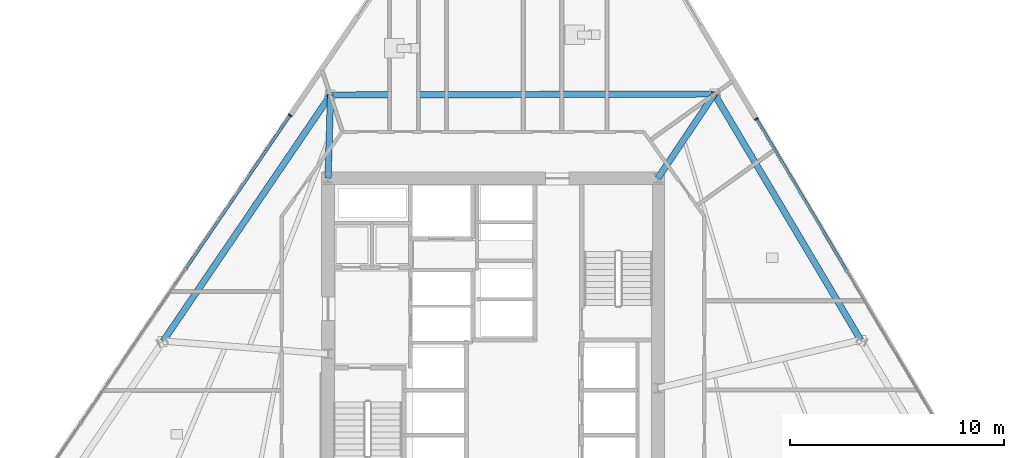
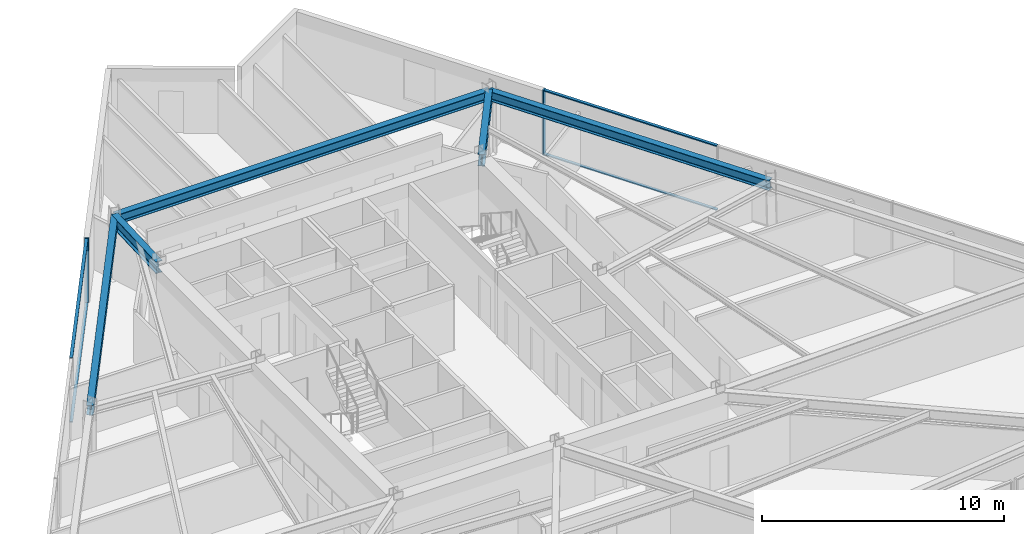
# One storey, part 7 of 16: 6 members, 5 beams, 2 elements without a shape of their own.
"""IFC4 building model written with IfcOpenShell, lengths in metres."""

from ifc_helpers import new_model, si_unit, direction, frame, origin, origin_2d, place, context, subcontext, project, spatial, rectangle, i_section, extrude, material, material_profile, profile_set, type_object, element, aggregate, save


model = new_model("IFC4")

# Units and contexts
model_context = context("Model", 3, precision=1e-05, world=origin(), true_north=direction((0.0, 1.0)))
body_context = subcontext(model_context, "Body", "Model", "MODEL_VIEW")
ifc_project = project(units=[si_unit("LENGTHUNIT", "METRE"), si_unit("AREAUNIT", "SQUARE_METRE"), si_unit("VOLUMEUNIT", "CUBIC_METRE"), si_unit("PLANEANGLEUNIT", "RADIAN"), si_unit("MASSUNIT", "GRAM", prefix="KILO")], contexts=[model_context])

# Site, building, storey
site_placement = place(None, origin())
site = spatial("IfcSite", under=ifc_project, at=site_placement, CompositionType="ELEMENT")
building_placement = place(site_placement, origin())
building = spatial("IfcBuilding", under=site, at=building_placement, Name="Savorim Split Tower", CompositionType="ELEMENT")
storey_placement = place(building_placement, frame((0.0, 0.0, 69.60009765625)))
storey = spatial("IfcBuildingStorey", under=building, at=storey_placement, Name="L18", CompositionType="ELEMENT", Elevation=69.60009765625)

# Beams
ifc_material_1 = material(Name="Steel S355", Category="steel")
ifc_material_profile_1 = material_profile(ifc_material_1, i_section(OverallWidth=0.300048828125, OverallDepth=0.60009765625, WebThickness=0.015380859375, FlangeThickness=0.030029296875, FilletRadius=0.027099609375, at=origin_2d()), Name="HEB 600")
ifc_profile_set_1 = profile_set([ifc_material_profile_1], Name="Steel S355")
beam_type_1 = type_object("IfcBeamType", Name="BM-PRI-HEB600", PredefinedType="BEAM", material=ifc_profile_set_1)
beam_1_placement = place(storey_placement, frame((10.336669921875, 14.131591796875, 2.97998046875), z_axis=(-0.556983163535, -0.830523783849, 0.0), x_axis=(0.830523783849, -0.556983163535, 0.0)))
element("IfcBeam", 1, at=beam_1_placement, inside=storey, type_object=beam_type_1, Name="L18 Primary Floor Girder RG-07", PredefinedType="BEAM", context=body_context, shape_type="SweptSolid", body=[
    extrude(i_section(OverallWidth=0.300048828125, OverallDepth=0.60009765625, WebThickness=0.015380859375, FlangeThickness=0.030029296875, FilletRadius=0.027099609375, at=origin_2d()), origin(), (0.0, 0.0, 1.0), 4.73388671875),
])
beam_2_placement = place(storey_placement, frame((-7.580810546875, 14.082763671875, 2.97998046875), z_axis=(-0.030669670058, -0.999529575019, 0.0), x_axis=(0.999529575019, -0.030669670058, 0.0)))
element("IfcBeam", 2, at=beam_2_placement, inside=storey, type_object=beam_type_1, Name="L18 Primary Floor Girder RG-08", PredefinedType="BEAM", context=body_context, shape_type="SweptSolid", body=[
    extrude(i_section(OverallWidth=0.300048828125, OverallDepth=0.60009765625, WebThickness=0.015380859375, FlangeThickness=0.030029296875, FilletRadius=0.027099609375, at=origin_2d()), origin(), (0.0, 0.0, 1.0), 3.884521484375),
])
ifc_material_profile_2 = material_profile(ifc_material_1, i_section(OverallWidth=0.300048828125, OverallDepth=0.489990234375, WebThickness=0.011962890625, FlangeThickness=0.02294921875, FilletRadius=0.027099609375, at=origin_2d()), Name="HEA 500")
ifc_profile_set_2 = profile_set([ifc_material_profile_2], Name="Steel S355")
beam_type_2 = type_object("IfcBeamType", Name="BM-SPN-HEA500", PredefinedType="SPANDREL", material=ifc_profile_set_2)
beam_3_placement = place(storey_placement, frame((17.164794921875, 2.648681640625, 3.034912109375), z_axis=(-0.511100205698, 0.859521133967, 0.0), x_axis=(-0.859521133967, -0.511100205698, 0.0)))
element("IfcBeam", 3, at=beam_3_placement, inside=storey, type_object=beam_type_2, Name="L18 Perimeter Spandrel Beam 6", PredefinedType="SPANDREL", context=body_context, shape_type="SweptSolid", body=[
    extrude(i_section(OverallWidth=0.300048828125, OverallDepth=0.489990234375, WebThickness=0.011962890625, FlangeThickness=0.02294921875, FilletRadius=0.027099609375, at=origin_2d()), origin(), (0.0, 0.0, 1.0), 13.359619140625),
])
beam_4_placement = place(storey_placement, frame((10.336669921875, 14.131591796875, 3.034912109375), z_axis=(-0.999996286753, -0.002725156797, 0.0), x_axis=(0.002725156797, -0.999996286753, 0.0)))
element("IfcBeam", 4, at=beam_4_placement, inside=storey, type_object=beam_type_2, Name="L18 Perimeter Spandrel Beam 7", PredefinedType="SPANDREL", context=body_context, shape_type="SweptSolid", body=[
    extrude(i_section(OverallWidth=0.300048828125, OverallDepth=0.489990234375, WebThickness=0.011962890625, FlangeThickness=0.02294921875, FilletRadius=0.027099609375, at=origin_2d()), origin(), (0.0, 0.0, 1.0), 17.91748046875),
])
beam_5_placement = place(storey_placement, frame((-7.580810546875, 14.082763671875, 3.034912109375), z_axis=(-0.562464839505, -0.826821204566, 0.0), x_axis=(0.826821204566, -0.562464839505, 0.0)))
element("IfcBeam", 5, at=beam_5_placement, inside=storey, type_object=beam_type_2, Name="L18 Perimeter Spandrel Beam 8", PredefinedType="SPANDREL", context=body_context, shape_type="SweptSolid", body=[
    extrude(i_section(OverallWidth=0.300048828125, OverallDepth=0.489990234375, WebThickness=0.011962890625, FlangeThickness=0.02294921875, FilletRadius=0.027099609375, at=origin_2d()), origin(), (0.0, 0.0, 1.0), 13.887939453125),
])

# Curtain wall, member
ifc_material_2 = material(Name="Dark Ceramic-Fritted Insulated Glass", Category="glass")
curtain_wall_type = type_object("IfcCurtainWallType", Name="CW-TWR-FRIT-A", PredefinedType="NOTDEFINED", material=ifc_material_2)
curtain_wall_1_placement = place(storey_placement, origin())
curtain_wall_1 = element("IfcCurtainWall", 6, at=curtain_wall_1_placement, inside=storey, type_object=curtain_wall_type, Name="L18 Curtain Wall CW-L18-EAST", PredefinedType="NOTDEFINED")
ifc_material_3 = material(Name="Charcoal Anodised Aluminium", Category="aluminium")
ifc_material_profile_3 = material_profile(ifc_material_3, rectangle(XDim=0.179931640625, YDim=0.06494140625, at=origin_2d()), Name="ALU-M 180x65")
ifc_profile_set_3 = profile_set([ifc_material_profile_3], Name="Charcoal Anodised Aluminium")
member_type_1 = type_object("IfcMemberType", Name="CWM-180x65", PredefinedType="MULLION", material=ifc_profile_set_3)
member_1_placement = place(storey_placement, frame((12.296630859375, 12.96826171875, 0.0), z_axis=(0.0, 0.0, 1.0), x_axis=(-0.859525822673, -0.511092320583, 0.0)))
member_1 = element("IfcMember", 7, at=member_1_placement, type_object=member_type_1, Name="CW-02 mullion 5", PredefinedType="MULLION", context=body_context, shape_type="SweptSolid", body=[
    extrude(rectangle(XDim=0.179931640625, YDim=0.06494140625, at=origin_2d()), origin(), (0.0, 0.0, 1.0), 3.27978515625),
])

curtain_wall_2_placement = place(storey_placement, origin())
curtain_wall_2 = element("IfcCurtainWall", 8, at=curtain_wall_2_placement, inside=storey, type_object=curtain_wall_type, Name="L18 Curtain Wall CW-L18-WEST", PredefinedType="NOTDEFINED")
member_2_placement = place(storey_placement, frame((-9.468994140625, 13.136474609375, 0.0), z_axis=(0.0, 0.0, 1.0), x_axis=(0.826820172644, -0.562466356423, 0.0)))
member_2 = element("IfcMember", 9, at=member_2_placement, type_object=member_type_1, Name="CW-02 mullion 1", PredefinedType="MULLION", context=body_context, shape_type="SweptSolid", body=[
    extrude(rectangle(XDim=0.179931640625, YDim=0.06494140625, at=origin_2d()), origin(), (0.0, 0.0, 1.0), 3.27978515625),
])

# Member
ifc_material_profile_4 = material_profile(ifc_material_3, rectangle(XDim=0.139892578125, YDim=0.054931640625, at=origin_2d()), Name="ALU-T 140x55")
ifc_profile_set_4 = profile_set([ifc_material_profile_4], Name="Charcoal Anodised Aluminium")
member_type_2 = type_object("IfcMemberType", Name="CWT-140x55", PredefinedType="USERDEFINED", material=ifc_profile_set_4)
member_3_placement = place(storey_placement, frame((16.49853515625, 5.901611328125, 0.02734375), z_axis=(-0.51109384724, 0.859524914888, 0.0), x_axis=(-0.859524914888, -0.51109384724, 0.0)))
member_3 = element("IfcMember", 10, at=member_3_placement, type_object=member_type_2, Name="CW-02 transom 4.1", ObjectType="TRANSOM", PredefinedType="USERDEFINED", context=body_context, shape_type="SweptSolid", body=[
    extrude(rectangle(XDim=0.139892578125, YDim=0.054931640625, at=origin_2d()), origin(), (0.0, 0.0, 1.0), 8.18896484375),
])

member_4_placement = place(storey_placement, frame((16.49853515625, 5.901611328125, 3.25244140625), z_axis=(-0.51109384724, 0.859524914888, 0.0), x_axis=(-0.859524914888, -0.51109384724, 0.0)))
member_4 = element("IfcMember", 11, at=member_4_placement, type_object=member_type_2, Name="CW-02 transom 4.2", ObjectType="TRANSOM", PredefinedType="USERDEFINED", context=body_context, shape_type="SweptSolid", body=[
    extrude(rectangle(XDim=0.139892578125, YDim=0.054931640625, at=origin_2d()), origin(), (0.0, 0.0, 1.0), 8.18896484375),
])

aggregate(curtain_wall_1, [member_1, member_3, member_4])

member_5_placement = place(storey_placement, frame((-9.487060546875, 13.109619140625, 0.02734375), z_axis=(-0.562479161914, -0.826811461224, 0.0), x_axis=(0.826811461224, -0.562479161914, 0.0)))
member_5 = element("IfcMember", 12, at=member_5_placement, type_object=member_type_2, Name="CW-02 transom 1.1", ObjectType="TRANSOM", PredefinedType="USERDEFINED", context=body_context, shape_type="SweptSolid", body=[
    extrude(rectangle(XDim=0.139892578125, YDim=0.054931640625, at=origin_2d()), origin(), (0.0, 0.0, 1.0), 8.606201171875),
])

member_6_placement = place(storey_placement, frame((-9.487060546875, 13.109619140625, 3.25244140625), z_axis=(-0.562479161914, -0.826811461224, 0.0), x_axis=(0.826811461224, -0.562479161914, 0.0)))
member_6 = element("IfcMember", 13, at=member_6_placement, type_object=member_type_2, Name="CW-02 transom 1.2", ObjectType="TRANSOM", PredefinedType="USERDEFINED", context=body_context, shape_type="SweptSolid", body=[
    extrude(rectangle(XDim=0.139892578125, YDim=0.054931640625, at=origin_2d()), origin(), (0.0, 0.0, 1.0), 8.606201171875),
])

aggregate(curtain_wall_2, [member_2, member_5, member_6])

save(model, "model.ifc")
